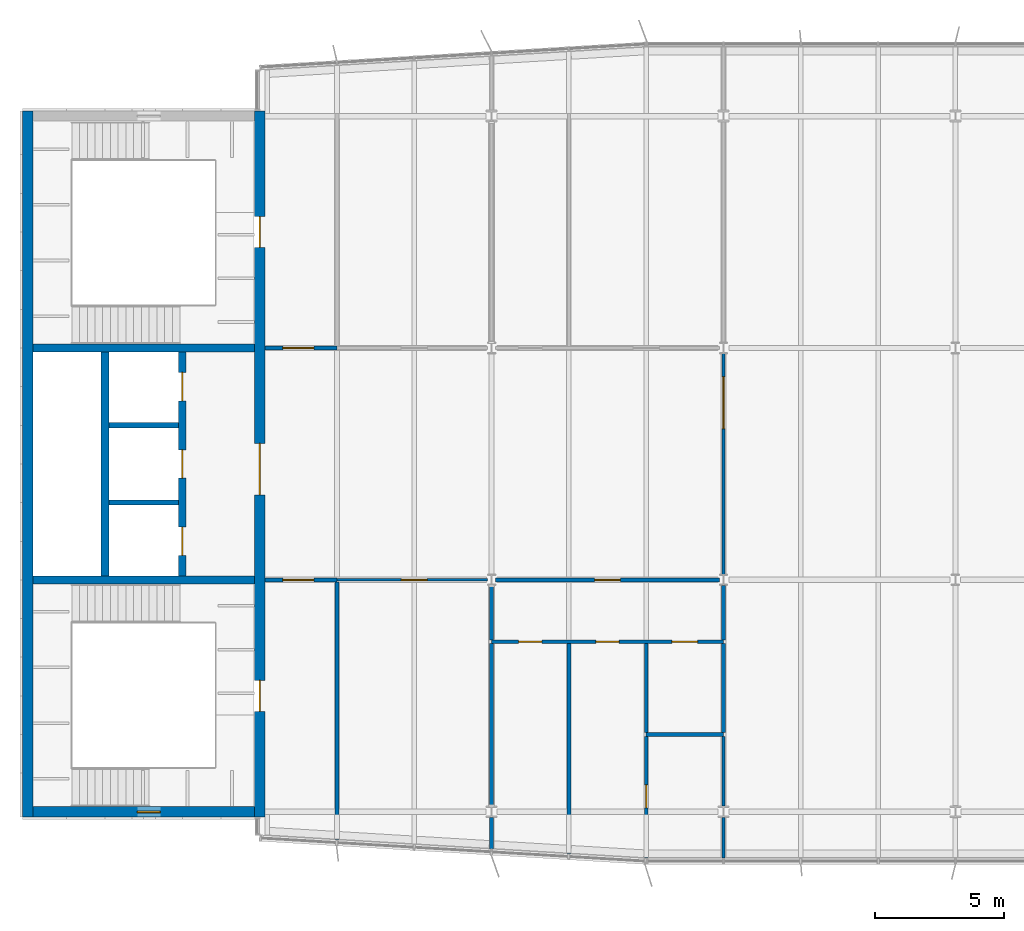
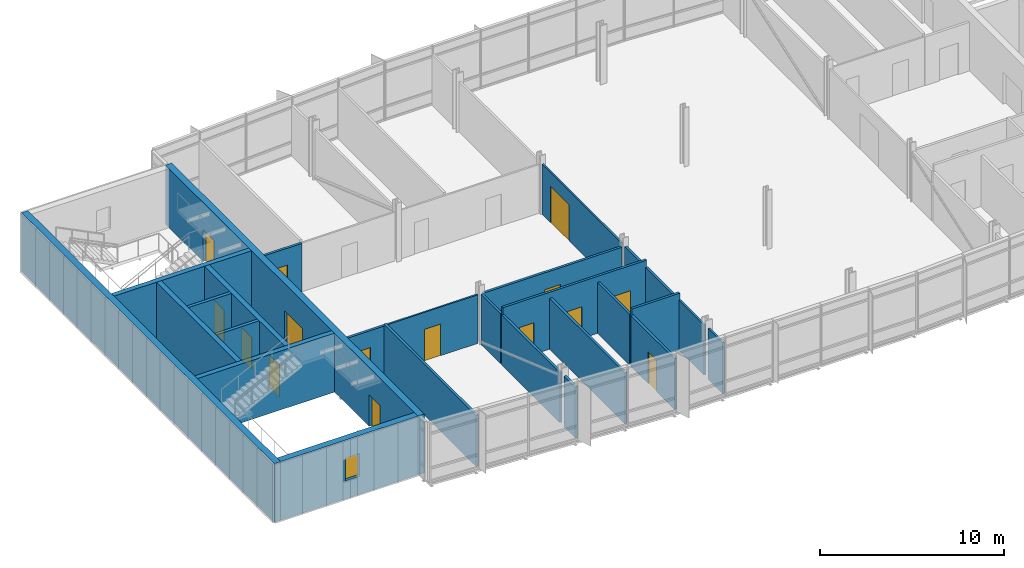
# One storey, part 14 of 20: 27 walls, 15 doors, 1 window, 16 openings.
"""IFC4 building model written with IfcOpenShell, lengths in metres."""

from ifc_helpers import new_model, si_unit, direction, frame, frame_2d, origin, place, context, subcontext, project, spatial, rectangle, extrude, material, layer, layer_set, type_object, element, fill, save


model = new_model("IFC4")

# Units and contexts
model_context = context("Model", 3, precision=1e-05, world=origin(), true_north=direction((0.0, 1.0)))
body_context = subcontext(model_context, "Body", "Model", "MODEL_VIEW")
ifc_project = project(units=[si_unit("LENGTHUNIT", "METRE"), si_unit("AREAUNIT", "SQUARE_METRE"), si_unit("VOLUMEUNIT", "CUBIC_METRE"), si_unit("PLANEANGLEUNIT", "RADIAN"), si_unit("MASSUNIT", "GRAM", prefix="KILO")], contexts=[model_context])

# Site, building, storey
site_placement = place(None, origin())
site = spatial("IfcSite", under=ifc_project, at=site_placement, CompositionType="ELEMENT")
building_placement = place(site_placement, origin())
building = spatial("IfcBuilding", under=site, at=building_placement, Name="Azimuth Sports and Learning Centre", CompositionType="ELEMENT")
storey_placement = place(building_placement, frame((0.0, 0.0, 44.10009765625)))
storey = spatial("IfcBuildingStorey", under=building, at=storey_placement, Name="L09", CompositionType="ELEMENT", Elevation=44.10009765625)

# Walls
ifc_material_1 = material(Name="Dense masonry blockwork", Category="masonry")
ifc_layer_1 = layer(ifc_material_1, 0.199951171875)
ifc_layer_set_1 = layer_set([ifc_layer_1], Name="Dense masonry blockwork")
wall_type_1 = type_object("IfcWallType", Name="Blockwork wall 200 EI 120", PredefinedType="SOLIDWALL", material=ifc_layer_set_1)
for number, where, z_axis, x_axis, name in (
    (1, (57.14990234375, 102.0, 0.0), (0.0, 0.0, 1.0), (1.0, 0.0, 0.0), "SD-W-1-L09"),
    (2, (57.14990234375, 105.0, 0.0), (0.0, 0.0, 1.0), (1.0, 0.0, 0.0), "SD-W-2-L09"),
):
    element("IfcWall", number, at=place(storey_placement, frame(where, z_axis=z_axis, x_axis=x_axis)), inside=storey, type_object=wall_type_1, Name=name, PredefinedType="SOLIDWALL", context=body_context, shape_type="SweptSolid", body=[
        extrude(rectangle(XDim=2.7001953125, YDim=0.199951171875, at=frame_2d((1.35009765625, 0.0))), origin(), (0.0, 0.0, 1.0), 3.89990234375),
    ])

# Wall, opening, door
ifc_material_2 = material(Name="Gypsum board on steel studs", Category="steel")
ifc_layer_2 = layer(ifc_material_2, 0.10009765625)
ifc_layer_set_2 = layer_set([ifc_layer_2], Name="Gypsum board on steel studs")
wall_type_2 = type_object("IfcWallType", Name="Partition 100 EI 30", PredefinedType="PARTITIONING", material=ifc_layer_set_2)
wall_1_placement = place(storey_placement, frame((66.0, 99.0, 0.0), z_axis=(0.0, 0.0, 1.0), x_axis=(1.0, 0.0, 0.0)))
wall_1 = element("IfcWall", 3, at=wall_1_placement, inside=storey, type_object=wall_type_2, Name="Partition Classroom 09.07 / Learning Street West", PredefinedType="PARTITIONING", context=body_context, shape_type="SweptSolid", body=[
    extrude(rectangle(XDim=5.846435546875, YDim=0.10009765625, at=frame_2d((2.92333984375, 0.0))), origin(), (0.0, 0.0, 1.0), 3.219970703125),
])
opening_1_placement = place(wall_1_placement, frame((2.5, 0.0, 0.0)))
opening_1 = element("IfcOpeningElement", 4, at=opening_1_placement, cuts=wall_1, Name="Opening D09-015", PredefinedType="OPENING", context=body_context, shape_type="SweptSolid", body=[
    extrude(rectangle(XDim=1.0, YDim=2.10009765625, at=frame_2d((0.5, 1.050048828125))), frame((0.0, 0.06103515625, 0.0), z_axis=(0.0, -1.0, 0.0), x_axis=(1.0, 0.0, 0.0)), (0.0, 0.0, 1.0), 0.1220703125),
])
ifc_material_3 = material(Name="Painted steel door set", Category="steel")
door_type_1 = type_object("IfcDoorType", Name="Fire door FD30S 1000 x 2100", OperationType="NOTDEFINED", PredefinedType="DOOR", material=ifc_material_3)
door_1_placement = place(opening_1_placement, frame((1.0, 0.0, 0.0), z_axis=(0.0, 0.0, 1.0), x_axis=(-1.0, 0.0, 0.0)))
door_1 = element("IfcDoor", 5, at=door_1_placement, inside=storey, type_object=door_type_1, Name="Door Classroom 09.07 / Learning Street West", OperationType="SINGLE_SWING_LEFT", OverallHeight=2.10009765625, OverallWidth=1.0, PredefinedType="DOOR", context=body_context, shape_type="SweptSolid", body=[
    extrude(rectangle(XDim=1.0, YDim=2.10009765625, at=frame_2d((0.5, 1.050048828125))), frame((0.0, 0.02490234375, 0.0), z_axis=(0.0, -1.0, 0.0), x_axis=(1.0, 0.0, 0.0)), (0.0, 0.0, 1.0), 0.050048828125),
])
fill(opening_1, door_1)

wall_2_placement = place(storey_placement, frame((81.0, 99.216064453125, 0.0), z_axis=(0.0, 0.0, 1.0), x_axis=(0.0, 1.0, 0.0)))
wall_2 = element("IfcWall", 6, at=wall_2_placement, inside=storey, type_object=wall_type_2, Name="Partition Library 09.13 / Learning Street West", PredefinedType="PARTITIONING", context=body_context, shape_type="SweptSolid", body=[
    extrude(rectangle(XDim=8.56787109375, YDim=0.10009765625, at=frame_2d((4.283935546875, 0.0))), origin(), (0.0, 0.0, 1.0), 3.31982421875),
])
opening_2_placement = place(wall_2_placement, frame((5.658935546875, 0.0, 0.0)))
opening_2 = element("IfcOpeningElement", 7, at=opening_2_placement, cuts=wall_2, Name="Opening D09-017", PredefinedType="OPENING", context=body_context, shape_type="SweptSolid", body=[
    extrude(rectangle(XDim=2.0, YDim=2.39990234375, at=frame_2d((1.0, 1.199951171875))), frame((0.0, 0.06103515625, 0.0), z_axis=(0.0, -1.0, 0.0), x_axis=(1.0, 0.0, 0.0)), (0.0, 0.0, 1.0), 0.1220703125),
])
ifc_material_4 = material(Name="Painted steel door set", Category="steel")
door_type_2 = type_object("IfcDoorType", Name="Fire door FD30S 2000 x 2400 double leaf", OperationType="DOUBLE_DOOR_SINGLE_SWING", PredefinedType="DOOR", material=ifc_material_4)
door_2_placement = place(opening_2_placement, frame((2.0, 0.0, 0.0), z_axis=(0.0, 0.0, 1.0), x_axis=(-1.0, 0.0, 0.0)))
door_2 = element("IfcDoor", 8, at=door_2_placement, inside=storey, type_object=door_type_2, Name="Door Library 09.13 / Learning Street West", OperationType="DOUBLE_DOOR_SINGLE_SWING", OverallHeight=2.39990234375, OverallWidth=2.0, PredefinedType="DOOR", context=body_context, shape_type="SweptSolid", body=[
    extrude(rectangle(XDim=2.0, YDim=2.39990234375, at=frame_2d((1.0, 1.199951171875))), frame((0.0, 0.02490234375, 0.0), z_axis=(0.0, -1.0, 0.0), x_axis=(1.0, 0.0, 0.0)), (0.0, 0.0, 1.0), 0.050048828125),
])
fill(opening_2, door_2)

# Walls
ifc_material_5 = material(Name="Gypsum board on steel studs, acoustic", Category="steel")
ifc_layer_3 = layer(ifc_material_5, 0.125)
ifc_layer_set_3 = layer_set([ifc_layer_3], Name="Gypsum board on steel studs, acoustic")
wall_type_3 = type_object("IfcWallType", Name="Partition 125 EI 60", PredefinedType="PARTITIONING", material=ifc_layer_set_3)
wall_3_placement = place(storey_placement, frame((81.0, 88.199951171875, 0.0), z_axis=(0.0, 0.0, 1.0), x_axis=(0.0, 1.0, 0.0)))
element("IfcWall", 9, at=wall_3_placement, inside=storey, type_object=wall_type_3, Name="Partition Cleaner Store 09.12 / Library 09.13", PredefinedType="PARTITIONING", context=body_context, shape_type="SweptSolid", body=[
    extrude(rectangle(XDim=1.572509765625, YDim=0.125, at=frame_2d((0.7861328125, 0.0))), origin(), (0.0, 0.0, 1.0), 3.369873046875),
])
wall_4_placement = place(storey_placement, frame((81.0, 90.2275390625, 0.0), z_axis=(0.0, 0.0, 1.0), x_axis=(0.0, 1.0, 0.0)))
element("IfcWall", 10, at=wall_4_placement, inside=storey, type_object=wall_type_3, Name="Partition Cleaner Store 09.12 / Library 09.13", PredefinedType="PARTITIONING", context=body_context, shape_type="SweptSolid", body=[
    extrude(rectangle(XDim=2.697509765625, YDim=0.125, at=frame_2d((1.3486328125, 0.0))), origin(), (0.0, 0.0, 1.0), 3.31982421875),
])
ifc_material_6 = material(Name="Lightweight blockwork, rendered", Category="masonry")
ifc_layer_4 = layer(ifc_material_6, 0.14990234375)
ifc_layer_set_4 = layer_set([ifc_layer_4], Name="Lightweight blockwork, rendered")
wall_type_4 = type_object("IfcWallType", Name="Partition 150 EI 60", PredefinedType="PARTITIONING", material=ifc_layer_set_4)
wall_5_placement = place(storey_placement, frame((78.0, 93.0, 0.0), z_axis=(0.0, 0.0, 1.0), x_axis=(1.0, 0.0, 0.0)))
element("IfcWall", 11, at=wall_5_placement, inside=storey, type_object=wall_type_4, Name="Partition Accessible WC 09.11 / Cleaner Store 09.12", PredefinedType="PARTITIONING", context=body_context, shape_type="SweptSolid", body=[
    extrude(rectangle(XDim=3.0, YDim=0.14990234375, at=frame_2d((1.5, 0.0))), origin(), (0.0, 0.0, 1.0), 3.77001953125),
])

# Wall, openings, doors
wall_6_placement = place(storey_placement, frame((72.0, 96.60009765625, 0.0), z_axis=(0.0, 0.0, 1.0), x_axis=(1.0, 0.0, 0.0)))
wall_6 = element("IfcWall", 12, at=wall_6_placement, inside=storey, type_object=wall_type_4, Name="Partition WC Lobby 09.08 / Men WC 09.09", PredefinedType="PARTITIONING", context=body_context, shape_type="SweptSolid", body=[
    extrude(rectangle(XDim=9.0, YDim=0.14990234375, at=frame_2d((4.5, 0.0))), origin(), (0.0, 0.0, 1.0), 3.77001953125),
])
opening_3_placement = place(wall_6_placement, frame((1.050048828125, 0.0, 0.0)))
opening_3 = element("IfcOpeningElement", 13, at=opening_3_placement, cuts=wall_6, Name="Opening D09-025", PredefinedType="OPENING", context=body_context, shape_type="SweptSolid", body=[
    extrude(rectangle(XDim=0.89990234375, YDim=2.10009765625, at=frame_2d((0.449951171875, 1.050048828125))), frame((0.0, 0.0859375, 0.0), z_axis=(0.0, -1.0, 0.0), x_axis=(1.0, 0.0, 0.0)), (0.0, 0.0, 1.0), 0.171875),
])
opening_4_placement = place(wall_6_placement, frame((4.050048828125, 0.0, 0.0)))
opening_4 = element("IfcOpeningElement", 14, at=opening_4_placement, cuts=wall_6, Name="Opening D09-026", PredefinedType="OPENING", context=body_context, shape_type="SweptSolid", body=[
    extrude(rectangle(XDim=0.89990234375, YDim=2.10009765625, at=frame_2d((0.449951171875, 1.050048828125))), frame((0.0, 0.0859375, 0.0), z_axis=(0.0, -1.0, 0.0), x_axis=(1.0, 0.0, 0.0)), (0.0, 0.0, 1.0), 0.171875),
])
opening_5_placement = place(wall_6_placement, frame((7.0, 0.0, 0.0)))
opening_5 = element("IfcOpeningElement", 15, at=opening_5_placement, cuts=wall_6, Name="Opening D09-027", PredefinedType="OPENING", context=body_context, shape_type="SweptSolid", body=[
    extrude(rectangle(XDim=1.0, YDim=2.10009765625, at=frame_2d((0.5, 1.050048828125))), frame((0.0, 0.0859375, 0.0), z_axis=(0.0, -1.0, 0.0), x_axis=(1.0, 0.0, 0.0)), (0.0, 0.0, 1.0), 0.171875),
])
ifc_material_7 = material(Name="Painted steel door set", Category="steel")
door_type_3 = type_object("IfcDoorType", Name="Fire door FD60 1000 x 2100", OperationType="NOTDEFINED", PredefinedType="DOOR", material=ifc_material_7)
door_3_placement = place(opening_5_placement, frame((1.0, 0.0, 0.0), z_axis=(0.0, 0.0, 1.0), x_axis=(-1.0, 0.0, 0.0)))
door_3 = element("IfcDoor", 16, at=door_3_placement, inside=storey, type_object=door_type_3, Name="Door WC Lobby 09.08 / Accessible WC 09.11", OperationType="SINGLE_SWING_RIGHT", OverallHeight=2.10009765625, OverallWidth=1.0, PredefinedType="DOOR", context=body_context, shape_type="SweptSolid", body=[
    extrude(rectangle(XDim=1.0, YDim=2.10009765625, at=frame_2d((0.5, 1.050048828125))), frame((0.0, 0.02490234375, 0.0), z_axis=(0.0, -1.0, 0.0), x_axis=(1.0, 0.0, 0.0)), (0.0, 0.0, 1.0), 0.050048828125),
])
fill(opening_5, door_3)
ifc_material_8 = material(Name="Painted steel door set", Category="steel")
door_type_4 = type_object("IfcDoorType", Name="Fire door FD60 900 x 2100", OperationType="NOTDEFINED", PredefinedType="DOOR", material=ifc_material_8)
door_4_placement = place(opening_3_placement, origin())
door_4 = element("IfcDoor", 17, at=door_4_placement, inside=storey, type_object=door_type_4, Name="Door WC Lobby 09.08 / Men WC 09.09", OperationType="SINGLE_SWING_LEFT", OverallHeight=2.10009765625, OverallWidth=0.89990234375, PredefinedType="DOOR", context=body_context, shape_type="SweptSolid", body=[
    extrude(rectangle(XDim=0.89990234375, YDim=2.10009765625, at=frame_2d((0.449951171875, 1.050048828125))), frame((0.0, 0.02490234375, 0.0), z_axis=(0.0, -1.0, 0.0), x_axis=(1.0, 0.0, 0.0)), (0.0, 0.0, 1.0), 0.050048828125),
])
fill(opening_3, door_4)
door_5_placement = place(opening_4_placement, origin())
door_5 = element("IfcDoor", 18, at=door_5_placement, inside=storey, type_object=door_type_4, Name="Door WC Lobby 09.08 / Women WC 09.10", OperationType="SINGLE_SWING_LEFT", OverallHeight=2.10009765625, OverallWidth=0.89990234375, PredefinedType="DOOR", context=body_context, shape_type="SweptSolid", body=[
    extrude(rectangle(XDim=0.89990234375, YDim=2.10009765625, at=frame_2d((0.449951171875, 1.050048828125))), frame((0.0, 0.02490234375, 0.0), z_axis=(0.0, -1.0, 0.0), x_axis=(1.0, 0.0, 0.0)), (0.0, 0.0, 1.0), 0.050048828125),
])
fill(opening_4, door_5)

# Wall, opening, door
wall_7_placement = place(storey_placement, frame((63.199951171875, 99.0, 0.0), z_axis=(0.0, 0.0, 1.0), x_axis=(1.0, 0.0, 0.0)))
wall_7 = element("IfcWall", 19, at=wall_7_placement, inside=storey, type_object=wall_type_4, Name="Partition Stair Lobby W1 09.01 / Learning Street West", PredefinedType="PARTITIONING", context=body_context, shape_type="SweptSolid", body=[
    extrude(rectangle(XDim=2.800048828125, YDim=0.14990234375, at=frame_2d((1.39990234375, 0.0))), origin(), (0.0, 0.0, 1.0), 3.219970703125),
])
opening_6_placement = place(wall_7_placement, frame((0.699951171875, 0.0, 0.0)))
opening_6 = element("IfcOpeningElement", 20, at=opening_6_placement, cuts=wall_7, Name="Opening D09-011", PredefinedType="OPENING", context=body_context, shape_type="SweptSolid", body=[
    extrude(rectangle(XDim=1.199951171875, YDim=2.10009765625, at=frame_2d((0.60009765625, 1.050048828125))), frame((0.0, 0.0859375, 0.0), z_axis=(0.0, -1.0, 0.0), x_axis=(1.0, 0.0, 0.0)), (0.0, 0.0, 1.0), 0.171875),
])
ifc_material_9 = material(Name="Painted steel door set", Category="steel")
door_type_5 = type_object("IfcDoorType", Name="Fire door FD60 1200 x 2100", OperationType="NOTDEFINED", PredefinedType="DOOR", material=ifc_material_9)
door_6_placement = place(opening_6_placement, frame((1.199951171875, 0.0, 0.0), z_axis=(0.0, 0.0, 1.0), x_axis=(-1.0, 0.0, 0.0)))
door_6 = element("IfcDoor", 21, at=door_6_placement, inside=storey, type_object=door_type_5, Name="Door Stair Lobby W1 09.01 / Learning Street West", OperationType="SINGLE_SWING_RIGHT", OverallHeight=2.10009765625, OverallWidth=1.199951171875, PredefinedType="DOOR", context=body_context, shape_type="SweptSolid", body=[
    extrude(rectangle(XDim=1.199951171875, YDim=2.10009765625, at=frame_2d((0.60009765625, 1.050048828125))), frame((0.0, 0.02490234375, 0.0), z_axis=(0.0, -1.0, 0.0), x_axis=(1.0, 0.0, 0.0)), (0.0, 0.0, 1.0), 0.050048828125),
])
fill(opening_6, door_6)

wall_8_placement = place(storey_placement, frame((72.153564453125, 99.0, 0.0), z_axis=(0.0, 0.0, 1.0), x_axis=(1.0, 0.0, 0.0)))
wall_8 = element("IfcWall", 22, at=wall_8_placement, inside=storey, type_object=wall_type_4, Name="Partition WC Lobby 09.08 / Learning Street West", PredefinedType="PARTITIONING", context=body_context, shape_type="SweptSolid", body=[
    extrude(rectangle(XDim=8.69287109375, YDim=0.14990234375, at=frame_2d((4.346435546875, 0.0))), origin(), (0.0, 0.0, 1.0), 3.219970703125),
])
opening_7_placement = place(wall_8_placement, frame((3.846435546875, 0.0, 0.0)))
opening_7 = element("IfcOpeningElement", 23, at=opening_7_placement, cuts=wall_8, Name="Opening D09-016", PredefinedType="OPENING", context=body_context, shape_type="SweptSolid", body=[
    extrude(rectangle(XDim=1.0, YDim=2.10009765625, at=frame_2d((0.5, 1.050048828125))), frame((0.0, 0.0859375, 0.0), z_axis=(0.0, -1.0, 0.0), x_axis=(1.0, 0.0, 0.0)), (0.0, 0.0, 1.0), 0.171875),
])
door_7_placement = place(opening_7_placement, frame((1.0, 0.0, 0.0), z_axis=(0.0, 0.0, 1.0), x_axis=(-1.0, 0.0, 0.0)))
door_7 = element("IfcDoor", 24, at=door_7_placement, inside=storey, type_object=door_type_3, Name="Door WC Lobby 09.08 / Learning Street West", OperationType="SINGLE_SWING_RIGHT", OverallHeight=2.10009765625, OverallWidth=1.0, PredefinedType="DOOR", context=body_context, shape_type="SweptSolid", body=[
    extrude(rectangle(XDim=1.0, YDim=2.10009765625, at=frame_2d((0.5, 1.050048828125))), frame((0.0, 0.02490234375, 0.0), z_axis=(0.0, -1.0, 0.0), x_axis=(1.0, 0.0, 0.0)), (0.0, 0.0, 1.0), 0.050048828125),
])
fill(opening_7, door_7)

wall_9_placement = place(storey_placement, frame((63.199951171875, 108.0, 0.0), z_axis=(0.0, 0.0, 1.0), x_axis=(1.0, 0.0, 0.0)))
wall_9 = element("IfcWall", 25, at=wall_9_placement, inside=storey, type_object=wall_type_4, Name="Partition Stair Lobby W2 09.02 / Learning Street West", PredefinedType="PARTITIONING", context=body_context, shape_type="SweptSolid", body=[
    extrude(rectangle(XDim=2.800048828125, YDim=0.14990234375, at=frame_2d((1.39990234375, 0.0))), origin(), (0.0, 0.0, 1.0), 3.219970703125),
])
opening_8_placement = place(wall_9_placement, frame((0.699951171875, 0.0, 0.0)))
opening_8 = element("IfcOpeningElement", 26, at=opening_8_placement, cuts=wall_9, Name="Opening D09-012", PredefinedType="OPENING", context=body_context, shape_type="SweptSolid", body=[
    extrude(rectangle(XDim=1.199951171875, YDim=2.10009765625, at=frame_2d((0.60009765625, 1.050048828125))), frame((0.0, 0.0859375, 0.0), z_axis=(0.0, -1.0, 0.0), x_axis=(1.0, 0.0, 0.0)), (0.0, 0.0, 1.0), 0.171875),
])
door_8_placement = place(opening_8_placement, origin())
door_8 = element("IfcDoor", 27, at=door_8_placement, inside=storey, type_object=door_type_5, Name="Door Stair Lobby W2 09.02 / Learning Street West", OperationType="SINGLE_SWING_LEFT", OverallHeight=2.10009765625, OverallWidth=1.199951171875, PredefinedType="DOOR", context=body_context, shape_type="SweptSolid", body=[
    extrude(rectangle(XDim=1.199951171875, YDim=2.10009765625, at=frame_2d((0.60009765625, 1.050048828125))), frame((0.0, 0.02490234375, 0.0), z_axis=(0.0, -1.0, 0.0), x_axis=(1.0, 0.0, 0.0)), (0.0, 0.0, 1.0), 0.050048828125),
])
fill(opening_8, door_8)

# Walls
wall_10_placement = place(storey_placement, frame((66.0, 88.919921875, 0.0), z_axis=(0.0, 0.0, 1.0), x_axis=(0.0, 1.0, 0.0)))
element("IfcWall", 28, at=wall_10_placement, inside=storey, type_object=wall_type_4, Name="Partition Stair Lobby W1 09.01 / Classroom 09.07", PredefinedType="PARTITIONING", context=body_context, shape_type="SweptSolid", body=[
    extrude(rectangle(XDim=10.005126953125, YDim=0.14990234375, at=frame_2d((5.00244140625, 0.0))), origin(), (0.0, 0.0, 1.0), 3.369873046875),
])
wall_11_placement = place(storey_placement, frame((72.0, 88.56005859375, 0.0), z_axis=(0.0, 0.0, 1.0), x_axis=(0.0, 1.0, 0.0)))
element("IfcWall", 29, at=wall_11_placement, inside=storey, type_object=wall_type_4, Name="Partition Classroom 09.07 / WC Lobby 09.08", PredefinedType="PARTITIONING", context=body_context, shape_type="SweptSolid", body=[
    extrude(rectangle(XDim=1.21240234375, YDim=0.14990234375, at=frame_2d((0.606201171875, 0.0))), origin(), (0.0, 0.0, 1.0), 3.369873046875),
])
wall_12_placement = place(storey_placement, frame((72.0, 90.2275390625, 0.0), z_axis=(0.0, 0.0, 1.0), x_axis=(0.0, 1.0, 0.0)))
element("IfcWall", 30, at=wall_12_placement, inside=storey, type_object=wall_type_4, Name="Partition Classroom 09.07 / WC Lobby 09.08", PredefinedType="PARTITIONING", context=body_context, shape_type="SweptSolid", body=[
    extrude(rectangle(XDim=6.29736328125, YDim=0.14990234375, at=frame_2d((3.148681640625, 0.0))), origin(), (0.0, 0.0, 1.0), 3.31982421875),
])
wall_13_placement = place(storey_placement, frame((72.0, 96.675048828125, 0.0), z_axis=(0.0, 0.0, 1.0), x_axis=(0.0, 1.0, 0.0)))
element("IfcWall", 31, at=wall_13_placement, inside=storey, type_object=wall_type_4, Name="Partition Classroom 09.07 / WC Lobby 09.08", PredefinedType="PARTITIONING", context=body_context, shape_type="SweptSolid", body=[
    extrude(rectangle(XDim=2.10888671875, YDim=0.14990234375, at=frame_2d((1.054443359375, 0.0))), origin(), (0.0, 0.0, 1.0), 3.31982421875),
])
wall_14_placement = place(storey_placement, frame((75.0, 88.3798828125, 0.0), z_axis=(0.0, 0.0, 1.0), x_axis=(0.0, 1.0, 0.0)))
element("IfcWall", 32, at=wall_14_placement, inside=storey, type_object=wall_type_4, Name="Partition Men WC 09.09 / Women WC 09.10", PredefinedType="PARTITIONING", context=body_context, shape_type="SweptSolid", body=[
    extrude(rectangle(XDim=8.14501953125, YDim=0.14990234375, at=frame_2d((4.072509765625, 0.0))), origin(), (0.0, 0.0, 1.0), 3.369873046875),
])

# Wall, opening, door
wall_15_placement = place(storey_placement, frame((78.0, 88.199951171875, 0.0), z_axis=(0.0, 0.0, 1.0), x_axis=(0.0, 1.0, 0.0)))
wall_15 = element("IfcWall", 33, at=wall_15_placement, inside=storey, type_object=wall_type_4, Name="Partition Women WC 09.10 / Accessible WC 09.11", PredefinedType="PARTITIONING", context=body_context, shape_type="SweptSolid", body=[
    extrude(rectangle(XDim=4.72509765625, YDim=0.14990234375, at=frame_2d((2.362548828125, 0.0))), origin(), (0.0, 0.0, 1.0), 3.369873046875),
])
opening_9_placement = place(wall_15_placement, frame((1.949951171875, 0.0, 0.0)))
opening_9 = element("IfcOpeningElement", 34, at=opening_9_placement, cuts=wall_15, Name="Opening D09-028", PredefinedType="OPENING", context=body_context, shape_type="SweptSolid", body=[
    extrude(rectangle(XDim=0.89990234375, YDim=2.10009765625, at=frame_2d((0.449951171875, 1.050048828125))), frame((0.0, 0.0859375, 0.0), z_axis=(0.0, -1.0, 0.0), x_axis=(1.0, 0.0, 0.0)), (0.0, 0.0, 1.0), 0.171875),
])
door_9_placement = place(opening_9_placement, frame((0.89990234375, 0.0, 0.0), z_axis=(0.0, 0.0, 1.0), x_axis=(-1.0, 0.0, 0.0)))
door_9 = element("IfcDoor", 35, at=door_9_placement, inside=storey, type_object=door_type_4, Name="Door Women WC 09.10 / Cleaner Store 09.12", OperationType="SINGLE_SWING_LEFT", OverallHeight=2.10009765625, OverallWidth=0.89990234375, PredefinedType="DOOR", context=body_context, shape_type="SweptSolid", body=[
    extrude(rectangle(XDim=0.89990234375, YDim=2.10009765625, at=frame_2d((0.449951171875, 1.050048828125))), frame((0.0, 0.02490234375, 0.0), z_axis=(0.0, -1.0, 0.0), x_axis=(1.0, 0.0, 0.0)), (0.0, 0.0, 1.0), 0.050048828125),
])
fill(opening_9, door_9)

# Walls
wall_16_placement = place(storey_placement, frame((78.0, 93.074951171875, 0.0), z_axis=(0.0, 0.0, 1.0), x_axis=(0.0, 1.0, 0.0)))
element("IfcWall", 36, at=wall_16_placement, inside=storey, type_object=wall_type_4, Name="Partition Women WC 09.10 / Accessible WC 09.11", PredefinedType="PARTITIONING", context=body_context, shape_type="SweptSolid", body=[
    extrude(rectangle(XDim=3.449951171875, YDim=0.14990234375, at=frame_2d((1.72509765625, 0.0))), origin(), (0.0, 0.0, 1.0), 3.369873046875),
])
wall_17_placement = place(storey_placement, frame((81.0, 93.074951171875, 0.0), z_axis=(0.0, 0.0, 1.0), x_axis=(0.0, 1.0, 0.0)))
element("IfcWall", 37, at=wall_17_placement, inside=storey, type_object=wall_type_4, Name="Partition WC Lobby 09.08 / Accessible WC 09.11", PredefinedType="PARTITIONING", context=body_context, shape_type="SweptSolid", body=[
    extrude(rectangle(XDim=3.449951171875, YDim=0.14990234375, at=frame_2d((1.72509765625, 0.0))), origin(), (0.0, 0.0, 1.0), 3.31982421875),
])
wall_18_placement = place(storey_placement, frame((81.0, 96.675048828125, 0.0), z_axis=(0.0, 0.0, 1.0), x_axis=(0.0, 1.0, 0.0)))
element("IfcWall", 38, at=wall_18_placement, inside=storey, type_object=wall_type_4, Name="Partition WC Lobby 09.08 / Accessible WC 09.11", PredefinedType="PARTITIONING", context=body_context, shape_type="SweptSolid", body=[
    extrude(rectangle(XDim=2.10888671875, YDim=0.14990234375, at=frame_2d((1.054443359375, 0.0))), origin(), (0.0, 0.0, 1.0), 3.31982421875),
])
ifc_material_10 = material(Name="Concrete C40/50", Category="concrete")
ifc_layer_5 = layer(ifc_material_10, 0.300048828125)
ifc_layer_set_5 = layer_set([ifc_layer_5], Name="Concrete C40/50")
wall_type_5 = type_object("IfcWallType", Name="RC core wall 300", PredefinedType="SHEAR", material=ifc_layer_set_5)
for number, where, z_axis, x_axis, name in (
    (39, (54.199951171875, 99.0, 0.0), (0.0, 0.0, 1.0), (1.0, 0.0, 0.0), "Core wall W D1 L09"),
    (40, (54.199951171875, 108.0, 0.0), (0.0, 0.0, 1.0), (1.0, 0.0, 0.0), "Core wall W D2 L09"),
):
    element("IfcWall", number, at=place(storey_placement, frame(where, z_axis=z_axis, x_axis=x_axis)), inside=storey, type_object=wall_type_5, Name=name, PredefinedType="SHEAR", context=body_context, shape_type="SweptSolid", body=[
        extrude(rectangle(XDim=8.60009765625, YDim=0.300048828125, at=frame_2d((4.300048828125, 0.0))), origin(), (0.0, 0.0, 1.0), 3.89990234375),
    ])
wall_19_placement = place(storey_placement, frame((57.0, 99.14990234375, 0.0), z_axis=(0.0, 0.0, 1.0), x_axis=(0.0, 1.0, 0.0)))
element("IfcWall", 41, at=wall_19_placement, inside=storey, type_object=wall_type_5, Name="Core wall W LB1 L09", PredefinedType="SHEAR", context=body_context, shape_type="SweptSolid", body=[
    extrude(rectangle(XDim=8.7001953125, YDim=0.300048828125, at=frame_2d((4.35009765625, 0.0))), origin(), (0.0, 0.0, 1.0), 3.89990234375),
])

# Wall, openings, doors
wall_20_placement = place(storey_placement, frame((60.0, 99.14990234375, 0.0), z_axis=(0.0, 0.0, 1.0), x_axis=(0.0, 1.0, 0.0)))
wall_20 = element("IfcWall", 42, at=wall_20_placement, inside=storey, type_object=wall_type_5, Name="Core wall W LB2 L09", PredefinedType="SHEAR", context=body_context, shape_type="SweptSolid", body=[
    extrude(rectangle(XDim=8.7001953125, YDim=0.300048828125, at=frame_2d((4.35009765625, 0.0))), origin(), (0.0, 0.0, 1.0), 3.89990234375),
])
opening_10_placement = place(wall_20_placement, frame((0.800048828125, 0.0, 0.0)))
opening_10 = element("IfcOpeningElement", 43, at=opening_10_placement, cuts=wall_20, Name="Opening D09-005", PredefinedType="OPENING", context=body_context, shape_type="SweptSolid", body=[
    extrude(rectangle(XDim=1.10009765625, YDim=2.10009765625, at=frame_2d((0.550048828125, 1.050048828125))), frame((0.0, 0.1611328125, 0.0), z_axis=(0.0, -1.0, 0.0), x_axis=(1.0, 0.0, 0.0)), (0.0, 0.0, 1.0), 0.322021484375),
])
opening_11_placement = place(wall_20_placement, frame((3.800048828125, 0.0, 0.0)))
opening_11 = element("IfcOpeningElement", 44, at=opening_11_placement, cuts=wall_20, Name="Opening D09-006", PredefinedType="OPENING", context=body_context, shape_type="SweptSolid", body=[
    extrude(rectangle(XDim=1.10009765625, YDim=2.10009765625, at=frame_2d((0.550048828125, 1.050048828125))), frame((0.0, 0.1611328125, 0.0), z_axis=(0.0, -1.0, 0.0), x_axis=(1.0, 0.0, 0.0)), (0.0, 0.0, 1.0), 0.322021484375),
])
opening_12_placement = place(wall_20_placement, frame((6.800048828125, 0.0, 0.0)))
opening_12 = element("IfcOpeningElement", 45, at=opening_12_placement, cuts=wall_20, Name="Opening D09-007", PredefinedType="OPENING", context=body_context, shape_type="SweptSolid", body=[
    extrude(rectangle(XDim=1.10009765625, YDim=2.10009765625, at=frame_2d((0.550048828125, 1.050048828125))), frame((0.0, 0.1611328125, 0.0), z_axis=(0.0, -1.0, 0.0), x_axis=(1.0, 0.0, 0.0)), (0.0, 0.0, 1.0), 0.322021484375),
])
ifc_material_11 = material(Name="Stainless steel", Category="steel")
door_type_6 = type_object("IfcDoorType", Name="Lift landing door 1100 x 2100", OperationType="DOUBLE_DOOR_SLIDING", PredefinedType="DOOR", material=ifc_material_11)
door_10_placement = place(opening_10_placement, origin())
door_10 = element("IfcDoor", 46, at=door_10_placement, inside=storey, type_object=door_type_6, Name="Landing door LW1 L09", OperationType="DOUBLE_DOOR_SLIDING", OverallHeight=2.10009765625, OverallWidth=1.10009765625, PredefinedType="DOOR", context=body_context, shape_type="SweptSolid", body=[
    extrude(rectangle(XDim=1.10009765625, YDim=2.10009765625, at=frame_2d((0.550048828125, 1.050048828125))), frame((0.0, 0.02490234375, 0.0), z_axis=(0.0, -1.0, 0.0), x_axis=(1.0, 0.0, 0.0)), (0.0, 0.0, 1.0), 0.050048828125),
])
fill(opening_10, door_10)
door_11_placement = place(opening_11_placement, origin())
door_11 = element("IfcDoor", 47, at=door_11_placement, inside=storey, type_object=door_type_6, Name="Landing door LW2 L09", OperationType="DOUBLE_DOOR_SLIDING", OverallHeight=2.10009765625, OverallWidth=1.10009765625, PredefinedType="DOOR", context=body_context, shape_type="SweptSolid", body=[
    extrude(rectangle(XDim=1.10009765625, YDim=2.10009765625, at=frame_2d((0.550048828125, 1.050048828125))), frame((0.0, 0.02490234375, 0.0), z_axis=(0.0, -1.0, 0.0), x_axis=(1.0, 0.0, 0.0)), (0.0, 0.0, 1.0), 0.050048828125),
])
fill(opening_11, door_11)
door_12_placement = place(opening_12_placement, origin())
door_12 = element("IfcDoor", 48, at=door_12_placement, inside=storey, type_object=door_type_6, Name="Landing door LW3 L09", OperationType="DOUBLE_DOOR_SLIDING", OverallHeight=2.10009765625, OverallWidth=1.10009765625, PredefinedType="DOOR", context=body_context, shape_type="SweptSolid", body=[
    extrude(rectangle(XDim=1.10009765625, YDim=2.10009765625, at=frame_2d((0.550048828125, 1.050048828125))), frame((0.0, 0.02490234375, 0.0), z_axis=(0.0, -1.0, 0.0), x_axis=(1.0, 0.0, 0.0)), (0.0, 0.0, 1.0), 0.050048828125),
])
fill(opening_12, door_12)

ifc_material_12 = material(Name="Concrete C40/50", Category="concrete")
ifc_layer_6 = layer(ifc_material_12, 0.39990234375)
ifc_layer_set_6 = layer_set([ifc_layer_6], Name="Concrete C40/50")
wall_type_6 = type_object("IfcWallType", Name="RC core wall 400", PredefinedType="SHEAR", material=ifc_layer_set_6)
wall_21_placement = place(storey_placement, frame((63.0, 89.800048828125, 0.0), z_axis=(0.0, 0.0, 1.0), x_axis=(0.0, 1.0, 0.0)))
wall_21 = element("IfcWall", 49, at=wall_21_placement, inside=storey, type_object=wall_type_6, Name="Core wall W E L09", PredefinedType="SHEAR", context=body_context, shape_type="SweptSolid", body=[
    extrude(rectangle(XDim=27.39990234375, YDim=0.39990234375, at=frame_2d((13.699951171875, 0.0))), origin(), (0.0, 0.0, 1.0), 3.89990234375),
])
opening_13_placement = place(wall_21_placement, frame((4.10009765625, 0.0, 0.0)))
opening_13 = element("IfcOpeningElement", 50, at=opening_13_placement, cuts=wall_21, Name="Opening D09-001", PredefinedType="OPENING", context=body_context, shape_type="SweptSolid", body=[
    extrude(rectangle(XDim=1.199951171875, YDim=2.10009765625, at=frame_2d((0.60009765625, 1.050048828125))), frame((0.0, 0.2109375, 0.0), z_axis=(0.0, -1.0, 0.0), x_axis=(1.0, 0.0, 0.0)), (0.0, 0.0, 1.0), 0.421875),
])
opening_14_placement = place(wall_21_placement, frame((22.10009765625, 0.0, 0.0)))
opening_14 = element("IfcOpeningElement", 51, at=opening_14_placement, cuts=wall_21, Name="Opening D09-002", PredefinedType="OPENING", context=body_context, shape_type="SweptSolid", body=[
    extrude(rectangle(XDim=1.199951171875, YDim=2.10009765625, at=frame_2d((0.60009765625, 1.050048828125))), frame((0.0, 0.2109375, 0.0), z_axis=(0.0, -1.0, 0.0), x_axis=(1.0, 0.0, 0.0)), (0.0, 0.0, 1.0), 0.421875),
])
opening_15_placement = place(wall_21_placement, frame((12.5, 0.0, 0.0)))
opening_15 = element("IfcOpeningElement", 52, at=opening_15_placement, cuts=wall_21, Name="Opening D09-031", PredefinedType="OPENING", context=body_context, shape_type="SweptSolid", body=[
    extrude(rectangle(XDim=2.0, YDim=2.10009765625, at=frame_2d((1.0, 1.050048828125))), frame((0.0, 0.2109375, 0.0), z_axis=(0.0, -1.0, 0.0), x_axis=(1.0, 0.0, 0.0)), (0.0, 0.0, 1.0), 0.421875),
])
ifc_material_13 = material(Name="Painted steel door set", Category="steel")
door_type_7 = type_object("IfcDoorType", Name="Fire door FD120 2000 x 2100 double leaf", OperationType="DOUBLE_DOOR_SINGLE_SWING", PredefinedType="DOOR", material=ifc_material_13)
door_13_placement = place(opening_15_placement, origin())
door_13 = element("IfcDoor", 53, at=door_13_placement, inside=storey, type_object=door_type_7, Name="Door Lift Lobby W 09.05 / Learning Street West", OperationType="DOUBLE_DOOR_SINGLE_SWING", OverallHeight=2.10009765625, OverallWidth=2.0, PredefinedType="DOOR", context=body_context, shape_type="SweptSolid", body=[
    extrude(rectangle(XDim=2.0, YDim=2.10009765625, at=frame_2d((1.0, 1.050048828125))), frame((0.0, 0.02490234375, 0.0), z_axis=(0.0, -1.0, 0.0), x_axis=(1.0, 0.0, 0.0)), (0.0, 0.0, 1.0), 0.050048828125),
])
fill(opening_15, door_13)
ifc_material_14 = material(Name="Steel", Category="steel")
door_type_8 = type_object("IfcDoorType", Name="Stair fire door 1200 x 2100", OperationType="NOTDEFINED", PredefinedType="DOOR", material=ifc_material_14)
door_14_placement = place(opening_13_placement, origin())
door_14 = element("IfcDoor", 54, at=door_14_placement, inside=storey, type_object=door_type_8, Name="Stair door W1 L09", OperationType="SINGLE_SWING_LEFT", OverallHeight=2.10009765625, OverallWidth=1.199951171875, PredefinedType="DOOR", context=body_context, shape_type="SweptSolid", body=[
    extrude(rectangle(XDim=1.199951171875, YDim=2.10009765625, at=frame_2d((0.60009765625, 1.050048828125))), frame((0.0, 0.02490234375, 0.0), z_axis=(0.0, -1.0, 0.0), x_axis=(1.0, 0.0, 0.0)), (0.0, 0.0, 1.0), 0.050048828125),
])
fill(opening_13, door_14)
door_15_placement = place(opening_14_placement, origin())
door_15 = element("IfcDoor", 55, at=door_15_placement, inside=storey, type_object=door_type_8, Name="Stair door W2 L09", OperationType="SINGLE_SWING_LEFT", OverallHeight=2.10009765625, OverallWidth=1.199951171875, PredefinedType="DOOR", context=body_context, shape_type="SweptSolid", body=[
    extrude(rectangle(XDim=1.199951171875, YDim=2.10009765625, at=frame_2d((0.60009765625, 1.050048828125))), frame((0.0, 0.02490234375, 0.0), z_axis=(0.0, -1.0, 0.0), x_axis=(1.0, 0.0, 0.0)), (0.0, 0.0, 1.0), 0.050048828125),
])
fill(opening_14, door_15)

# Wall, opening, window
ifc_material_15 = material(Name="Concrete C40/50", Category="concrete")
ifc_layer_7 = layer(ifc_material_15, 0.39990234375)
ifc_layer_set_7 = layer_set([ifc_layer_7], Name="Concrete C40/50")
wall_type_7 = type_object("IfcWallType", Name="RC external core wall 400", PredefinedType="SHEAR", material=ifc_layer_set_7)
wall_22_placement = place(storey_placement, frame((54.199951171875, 90.0, 0.0), z_axis=(0.0, 0.0, 1.0), x_axis=(1.0, 0.0, 0.0)))
wall_22 = element("IfcWall", 56, at=wall_22_placement, inside=storey, type_object=wall_type_7, Name="Core wall W S L09", PredefinedType="SHEAR", context=body_context, shape_type="SweptSolid", body=[
    extrude(rectangle(XDim=8.60009765625, YDim=0.39990234375, at=frame_2d((4.300048828125, 0.0))), origin(), (0.0, 0.0, 1.0), 3.89990234375),
])
opening_16_placement = place(wall_22_placement, frame((4.050048828125, 0.0, 1.199951171875)))
opening_16 = element("IfcOpeningElement", 57, at=opening_16_placement, cuts=wall_22, Name="Opening W09-001", PredefinedType="OPENING", context=body_context, shape_type="SweptSolid", body=[
    extrude(rectangle(XDim=0.89990234375, YDim=1.5, at=frame_2d((0.449951171875, 0.75))), frame((0.0, 0.2109375, 0.0), z_axis=(0.0, -1.0, 0.0), x_axis=(1.0, 0.0, 0.0)), (0.0, 0.0, 1.0), 0.421875),
])
ifc_material_16 = material(Name="Aluminium and glass", Category="aluminium")
window_type = type_object("IfcWindowType", Name="Stair window tower core 900x1500", PartitioningType="SINGLE_PANEL", PredefinedType="WINDOW", material=ifc_material_16)
window_placement = place(opening_16_placement, origin())
window = element("IfcWindow", 58, at=window_placement, inside=storey, type_object=window_type, Name="Window W09-001", OverallHeight=1.5, OverallWidth=0.89990234375, PartitioningType="SINGLE_PANEL", PredefinedType="WINDOW", context=body_context, shape_type="SweptSolid", body=[
    extrude(rectangle(XDim=0.89990234375, YDim=1.5, at=frame_2d((0.449951171875, 0.75))), frame((0.0, 0.030029296875, 0.0), z_axis=(0.0, -1.0, 0.0), x_axis=(1.0, 0.0, 0.0)), (0.0, 0.0, 1.0), 0.06005859375),
])
fill(opening_16, window)

# Wall
wall_23_placement = place(storey_placement, frame((54.0, 89.800048828125, 0.0), z_axis=(0.0, 0.0, 1.0), x_axis=(0.0, 1.0, 0.0)))
element("IfcWall", 59, at=wall_23_placement, inside=storey, type_object=wall_type_7, Name="Core wall W W L09", PredefinedType="SHEAR", context=body_context, shape_type="SweptSolid", body=[
    extrude(rectangle(XDim=27.39990234375, YDim=0.39990234375, at=frame_2d((13.699951171875, 0.0))), origin(), (0.0, 0.0, 1.0), 3.89990234375),
])

save(model, "model.ifc")
